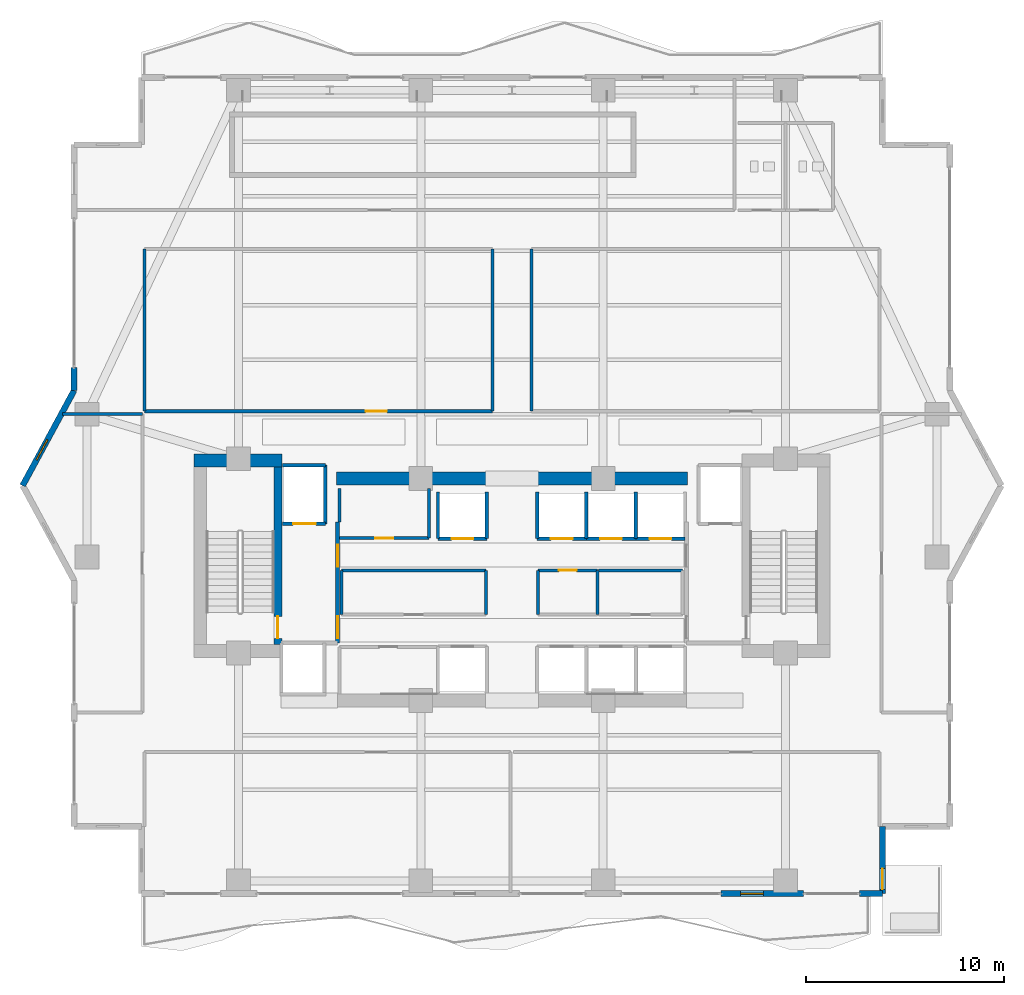
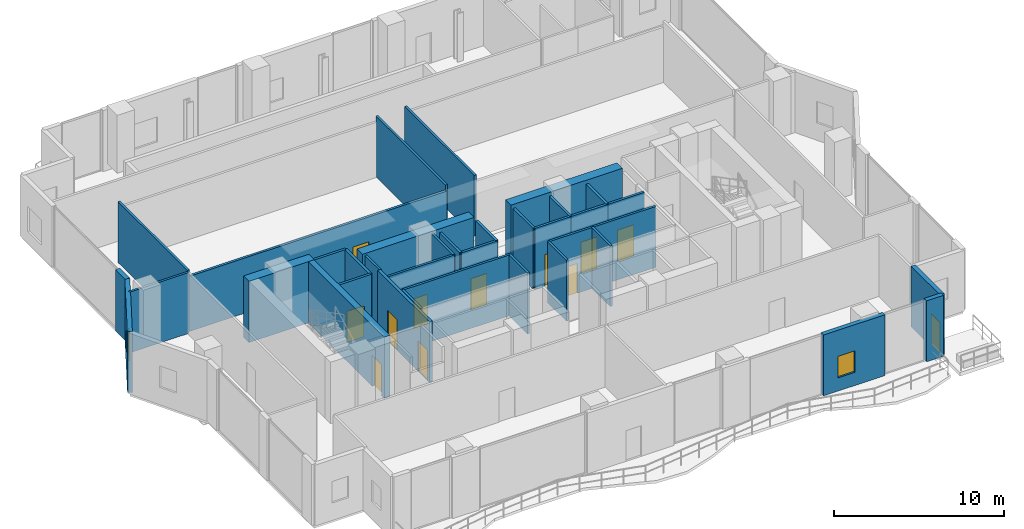
# One storey, part 27 of 33: 37 walls, 12 doors, 2 windows, 14 openings.
"""IFC4 building model written with IfcOpenShell, lengths in metres."""

from ifc_helpers import new_model, si_unit, direction, frame, frame_2d, origin, place, context, subcontext, project, spatial, rectangle, extrude, material, layer, layer_set, type_object, element, fill, save


model = new_model("IFC4")

# Units and contexts
model_context = context("Model", 3, precision=1e-05, world=origin(), true_north=direction((0.0, 1.0)))
body_context = subcontext(model_context, "Body", "Model", "MODEL_VIEW")
ifc_project = project(units=[si_unit("LENGTHUNIT", "METRE"), si_unit("AREAUNIT", "SQUARE_METRE"), si_unit("VOLUMEUNIT", "CUBIC_METRE"), si_unit("PLANEANGLEUNIT", "RADIAN"), si_unit("MASSUNIT", "GRAM", prefix="KILO")], contexts=[model_context])

# Site, building, storey
site_placement = place(None, origin())
site = spatial("IfcSite", under=ifc_project, at=site_placement, CompositionType="ELEMENT")
building_placement = place(site_placement, origin())
building = spatial("IfcBuilding", under=site, at=building_placement, Name="Zuhayl Quay Hotel", CompositionType="ELEMENT")
storey_placement = place(building_placement, frame((0.0, 0.0, 168.199951171875)))
storey = spatial("IfcBuildingStorey", under=building, at=storey_placement, Name="L42", CompositionType="ELEMENT", Elevation=168.199951171875)

# Walls
ifc_material_1 = material(Name="Concrete C50/60", Category="concrete")
ifc_layer_1 = layer(ifc_material_1, 0.64990234375, Name="Concrete C50/60", Category="concrete")
ifc_layer_set_1 = layer_set([ifc_layer_1], Name="Concrete C50/60")
wall_type_1 = type_object("IfcWallType", Name="WL_CORE_650", PredefinedType="SHEAR", material=ifc_layer_set_1)
wall_1_placement = place(storey_placement, frame((-16.06005859375, 14.2548828125, 0.0), z_axis=(0.0, 0.0, 1.0), x_axis=(1.0, 0.0, 0.0)))
element("IfcWall", 1, at=wall_1_placement, inside=storey, type_object=wall_type_1, Name="L42 Core Shear Wall CW_NW", PredefinedType="SHEAR", context=body_context, shape_type="SweptSolid", body=[
    extrude(rectangle(XDim=4.4599609375, YDim=0.64990234375, at=frame_2d((2.22998046875, 0.0))), origin(), (0.0, 0.0, 1.0), 4.41015625),
])
for number, where, z_axis, x_axis, name in (
    (2, (-8.85009765625, 13.35009765625, 0.0), (0.0, 0.0, 1.0), (1.0, 0.0, 0.0), "L42 Core Shear Wall CW_NC_W"),
    (3, (1.25, 13.35009765625, 0.0), (0.0, 0.0, 1.0), (1.0, 0.0, 0.0), "L42 Core Shear Wall CW_NC_E"),
):
    element("IfcWall", number, at=place(storey_placement, frame(where, z_axis=z_axis, x_axis=x_axis)), inside=storey, type_object=wall_type_1, Name=name, PredefinedType="SHEAR", context=body_context, shape_type="SweptSolid", body=[
        extrude(rectangle(XDim=7.60009765625, YDim=0.64990234375, at=frame_2d((3.800048828125, 0.0))), origin(), (0.0, 0.0, 1.0), 4.380126953125),
    ])

# Wall, opening, window
ifc_material_2 = material(Name="Precast concrete C45/55", Category="concrete")
ifc_layer_2 = layer(ifc_material_2, 0.300048828125, Name="Precast concrete C45/55", Category="concrete")
ifc_layer_set_2 = layer_set([ifc_layer_2], Name="Precast concrete C45/55")
wall_type_2 = type_object("IfcWallType", Name="WL_EXT_300", PredefinedType="STANDARD", material=ifc_layer_set_2)
wall_2_placement = place(storey_placement, frame((-24.699951171875, 13.0, 0.0), z_axis=(0.0, 0.0, 1.0), x_axis=(0.476258655584, 0.879305233114, 0.0)))
wall_2 = element("IfcWall", 4, at=wall_2_placement, inside=storey, type_object=wall_type_2, Name="L42 Exterior Precast Wall ENV_L42_EW04", PredefinedType="STANDARD", context=body_context, shape_type="SweptSolid", body=[
    extrude(rectangle(XDim=5.458984375, YDim=0.300048828125, at=frame_2d((2.7294921875, 0.0))), origin(), (0.0, 0.0, 1.0), 4.380126953125),
])
opening_1_placement = place(wall_2_placement, frame((1.476318359375, 0.0, 1.25)))
opening_1 = element("IfcOpeningElement", 5, at=opening_1_placement, cuts=wall_2, Name="Opening W01N", PredefinedType="OPENING", context=body_context, shape_type="SweptSolid", body=[
    extrude(rectangle(XDim=1.14990234375, YDim=1.550048828125, at=frame_2d((0.574951171875, 0.77490234375))), frame((0.0, 0.159912109375, 0.0), z_axis=(0.0, -1.0, 0.0), x_axis=(1.0, 0.0, 0.0)), (0.0, 0.0, 1.0), 0.320068359375),
])
ifc_material_3 = material(Name="Dark Ceramic-Fritted Solar Glass", Category="glass")
window_type = type_object("IfcWindowType", Name="WN_NOTCH_1350", PartitioningType="SINGLE_PANEL", PredefinedType="WINDOW", material=ifc_material_3)
window_1_placement = place(opening_1_placement, origin())
window_1 = element("IfcWindow", 6, at=window_1_placement, inside=storey, type_object=window_type, Name="L42 Corner Notch Window 4", OverallHeight=1.550048828125, OverallWidth=1.14990234375, PartitioningType="SINGLE_PANEL", PredefinedType="WINDOW", context=body_context, shape_type="SweptSolid", body=[
    extrude(rectangle(XDim=1.14990234375, YDim=1.550048828125, at=frame_2d((0.574951171875, 0.77490234375))), frame((0.0, 0.030029296875, 0.0), z_axis=(0.0, -1.0, 0.0), x_axis=(1.0, 0.0, 0.0)), (0.0, 0.0, 1.0), 0.06005859375),
])
fill(opening_1, window_1)

# Wall
wall_3_placement = place(storey_placement, frame((-22.10009765625, 17.800048828125, 0.0), z_axis=(0.0, 0.0, 1.0), x_axis=(0.0, 1.0, 0.0)))
element("IfcWall", 7, at=wall_3_placement, inside=storey, type_object=wall_type_2, Name="L42 Exterior Precast Wall ENV_L42_E05_EW1", PredefinedType="STANDARD", context=body_context, shape_type="SweptSolid", body=[
    extrude(rectangle(XDim=1.14990234375, YDim=0.300048828125, at=frame_2d((0.574951171875, 0.0))), origin(), (0.0, 0.0, 1.0), 4.380126953125),
])

# Wall, opening, door
wall_4_placement = place(storey_placement, frame((18.699951171875, -4.199951171875, 0.0), z_axis=(0.0, 0.0, 1.0), x_axis=(0.0, -1.0, 0.0)))
wall_4 = element("IfcWall", 8, at=wall_4_placement, inside=storey, type_object=wall_type_2, Name="L42 Exterior Precast Wall ENV_L42_SP_SE", PredefinedType="STANDARD", context=body_context, shape_type="SweptSolid", body=[
    extrude(rectangle(XDim=3.400146484375, YDim=0.300048828125, at=frame_2d((1.7001953125, 0.0))), origin(), (0.0, 0.0, 1.0), 4.380126953125),
])
opening_2_placement = place(wall_4_placement, frame((2.1298828125, 0.0, 0.0)))
opening_2 = element("IfcOpeningElement", 9, at=opening_2_placement, cuts=wall_4, Name="Opening DG1", PredefinedType="OPENING", context=body_context, shape_type="SweptSolid", body=[
    extrude(rectangle(XDim=1.050048828125, YDim=2.199951171875, at=frame_2d((0.52490234375, 1.10009765625))), frame((0.0, 0.159912109375, 0.0), z_axis=(0.0, -1.0, 0.0), x_axis=(1.0, 0.0, 0.0)), (0.0, 0.0, 1.0), 0.320068359375),
])
ifc_material_4 = material(Name="Anodised Aluminium and Dark Solar Glass", Category="aluminium")
door_type_1 = type_object("IfcDoorType", Name="DR_EXT_TERR_1050", OperationType="NOTDEFINED", PredefinedType="DOOR", material=ifc_material_4)
door_1_placement = place(opening_2_placement, origin())
door_1 = element("IfcDoor", 10, at=door_1_placement, inside=storey, type_object=door_type_1, Name="L42 Spiral Sky-Terrace SE Access Door", OperationType="SINGLE_SWING_LEFT", OverallHeight=2.199951171875, OverallWidth=1.050048828125, PredefinedType="DOOR", context=body_context, shape_type="SweptSolid", body=[
    extrude(rectangle(XDim=1.050048828125, YDim=2.199951171875, at=frame_2d((0.52490234375, 1.10009765625))), frame((0.0, 0.02490234375, 0.0), z_axis=(0.0, -1.0, 0.0), x_axis=(1.0, 0.0, 0.0)), (0.0, 0.0, 1.0), 0.050048828125),
])
fill(opening_2, door_1)

# Wall
wall_5_placement = place(storey_placement, frame((18.699951171875, -7.60009765625, 0.0), z_axis=(0.0, 0.0, 1.0), x_axis=(-1.0, 0.0, 0.0)))
element("IfcWall", 11, at=wall_5_placement, inside=storey, type_object=wall_type_2, Name="L42 Exterior Precast Wall ENV_L42_S_EW1", PredefinedType="STANDARD", context=body_context, shape_type="SweptSolid", body=[
    extrude(rectangle(XDim=1.14990234375, YDim=0.300048828125, at=frame_2d((0.574951171875, 0.0))), origin(), (0.0, 0.0, 1.0), 4.380126953125),
])

# Wall, opening, window
wall_6_placement = place(storey_placement, frame((14.719970703125, -7.60009765625, 0.0), z_axis=(0.0, 0.0, 1.0), x_axis=(-1.0, 0.0, 0.0)))
wall_6 = element("IfcWall", 12, at=wall_6_placement, inside=storey, type_object=wall_type_2, Name="L42 Exterior Precast Wall ENV_L42_S_EW2", PredefinedType="STANDARD", context=body_context, shape_type="SweptSolid", body=[
    extrude(rectangle(XDim=4.169921875, YDim=0.300048828125, at=frame_2d((2.0849609375, 0.0))), origin(), (0.0, 0.0, 1.0), 4.380126953125),
])
opening_3_placement = place(wall_6_placement, frame((2.034912109375, 0.0, 0.949951171875)))
opening_3 = element("IfcOpeningElement", 13, at=opening_3_placement, cuts=wall_6, Name="Opening W01N", PredefinedType="OPENING", context=body_context, shape_type="SweptSolid", body=[
    extrude(rectangle(XDim=1.14990234375, YDim=1.550048828125, at=frame_2d((0.574951171875, 0.77490234375))), frame((0.0, 0.159912109375, 0.0), z_axis=(0.0, -1.0, 0.0), x_axis=(1.0, 0.0, 0.0)), (0.0, 0.0, 1.0), 0.320068359375),
])
window_2_placement = place(opening_3_placement, origin())
window_2 = element("IfcWindow", 14, at=window_2_placement, inside=storey, type_object=window_type, Name="L42 Operable Facade Window 2-1", OverallHeight=1.550048828125, OverallWidth=1.14990234375, PartitioningType="SINGLE_PANEL", PredefinedType="WINDOW", context=body_context, shape_type="SweptSolid", body=[
    extrude(rectangle(XDim=1.14990234375, YDim=1.550048828125, at=frame_2d((0.574951171875, 0.77490234375))), frame((0.0, 0.030029296875, 0.0), z_axis=(0.0, -1.0, 0.0), x_axis=(1.0, 0.0, 0.0)), (0.0, 0.0, 1.0), 0.06005859375),
])
fill(opening_3, window_2)

# Wall, opening, door
ifc_material_5 = material(Name="Acoustic Gypsum Partition STC-58")
ifc_layer_3 = layer(ifc_material_5, 0.14990234375, Name="Acoustic Gypsum Partition STC-58")
ifc_layer_set_3 = layer_set([ifc_layer_3], Name="Acoustic Gypsum Partition STC-58")
wall_type_3 = type_object("IfcWallType", Name="WL_PART_150", PredefinedType="PARTITIONING", material=ifc_layer_set_3)
wall_7_placement = place(storey_placement, frame((-8.7099609375, 10.340087890625, 0.0), z_axis=(0.0, 0.0, 1.0), x_axis=(1.0, 0.0, 0.0)))
wall_7 = element("IfcWall", 15, at=wall_7_placement, inside=storey, type_object=wall_type_3, Name="L42 Partition IW_L42_FLP_N_S", PredefinedType="PARTITIONING", context=body_context, shape_type="SweptSolid", body=[
    extrude(rectangle(XDim=4.52001953125, YDim=0.14990234375, at=frame_2d((2.260009765625, 0.0))), origin(), (0.0, 0.0, 1.0), 4.380126953125),
])
opening_4_placement = place(wall_7_placement, frame((1.81005859375, 0.0, 0.0)))
opening_4 = element("IfcOpeningElement", 16, at=opening_4_placement, cuts=wall_7, Name="Opening D06", PredefinedType="OPENING", context=body_context, shape_type="SweptSolid", body=[
    extrude(rectangle(XDim=0.89990234375, YDim=2.14990234375, at=frame_2d((0.449951171875, 1.074951171875))), frame((0.0, 0.0849609375, 0.0), z_axis=(0.0, -1.0, 0.0), x_axis=(1.0, 0.0, 0.0)), (0.0, 0.0, 1.0), 0.169921875),
])
ifc_material_6 = material(Name="Steel ASTM A992 Grade 50", Category="steel")
door_type_2 = type_object("IfcDoorType", Name="DR_INT_900", OperationType="NOTDEFINED", PredefinedType="DOOR", material=ifc_material_6)
door_2_placement = place(opening_4_placement, origin())
door_2 = element("IfcDoor", 17, at=door_2_placement, inside=storey, type_object=door_type_2, Name="L42 Linen Store West Door", OperationType="SINGLE_SWING_RIGHT", OverallHeight=2.14990234375, OverallWidth=0.89990234375, PredefinedType="DOOR", context=body_context, shape_type="SweptSolid", body=[
    extrude(rectangle(XDim=0.89990234375, YDim=2.14990234375, at=frame_2d((0.449951171875, 1.074951171875))), frame((0.0, 0.02490234375, 0.0), z_axis=(0.0, -1.0, 0.0), x_axis=(1.0, 0.0, 0.0)), (0.0, 0.0, 1.0), 0.050048828125),
])
fill(opening_4, door_2)

wall_8_placement = place(storey_placement, frame((1.320068359375, 8.719970703125, 0.0), z_axis=(0.0, 0.0, 1.0), x_axis=(1.0, 0.0, 0.0)))
wall_8 = element("IfcWall", 18, at=wall_8_placement, inside=storey, type_object=wall_type_3, Name="L42 Partition IW_L42_CORE_IT_N", PredefinedType="PARTITIONING", context=body_context, shape_type="SweptSolid", body=[
    extrude(rectangle(XDim=2.989990234375, YDim=0.14990234375, at=frame_2d((1.4951171875, 0.0))), origin(), (0.0, 0.0, 1.0), 4.380126953125),
])
opening_5_placement = place(wall_8_placement, frame((1.044921875, 0.0, 0.0)))
opening_5 = element("IfcOpeningElement", 19, at=opening_5_placement, cuts=wall_8, Name="Opening D06", PredefinedType="OPENING", context=body_context, shape_type="SweptSolid", body=[
    extrude(rectangle(XDim=0.89990234375, YDim=2.14990234375, at=frame_2d((0.449951171875, 1.074951171875))), frame((0.0, 0.0849609375, 0.0), z_axis=(0.0, -1.0, 0.0), x_axis=(1.0, 0.0, 0.0)), (0.0, 0.0, 1.0), 0.169921875),
])
door_3_placement = place(opening_5_placement, origin())
door_3 = element("IfcDoor", 20, at=door_3_placement, inside=storey, type_object=door_type_2, Name="L42 Telecom Closet Door", OperationType="SINGLE_SWING_RIGHT", OverallHeight=2.14990234375, OverallWidth=0.89990234375, PredefinedType="DOOR", context=body_context, shape_type="SweptSolid", body=[
    extrude(rectangle(XDim=0.89990234375, YDim=2.14990234375, at=frame_2d((0.449951171875, 1.074951171875))), frame((0.0, 0.02490234375, 0.0), z_axis=(0.0, -1.0, 0.0), x_axis=(1.0, 0.0, 0.0)), (0.0, 0.0, 1.0), 0.050048828125),
])
fill(opening_5, door_3)

# Walls
wall_9_placement = place(storey_placement, frame((-8.7099609375, 11.14990234375, 0.0), z_axis=(0.0, 0.0, 1.0), x_axis=(0.0, 1.0, 0.0)))
element("IfcWall", 21, at=wall_9_placement, inside=storey, type_object=wall_type_3, Name="L42 Partition IW_L42_FLP_N_W", PredefinedType="PARTITIONING", context=body_context, shape_type="SweptSolid", body=[
    extrude(rectangle(XDim=1.710205078125, YDim=0.14990234375, at=frame_2d((0.85498046875, 0.0))), origin(), (0.0, 0.0, 1.0), 4.380126953125),
])
wall_10_placement = place(storey_placement, frame((-4.18994140625, 10.340087890625, 0.0), z_axis=(0.0, 0.0, 1.0), x_axis=(0.0, 1.0, 0.0)))
element("IfcWall", 22, at=wall_10_placement, inside=storey, type_object=wall_type_3, Name="L42 Partition IW_L42_FLP_N_E", PredefinedType="PARTITIONING", context=body_context, shape_type="SweptSolid", body=[
    extrude(rectangle(XDim=2.52001953125, YDim=0.14990234375, at=frame_2d((1.260009765625, 0.0))), origin(), (0.0, 0.0, 1.0), 4.380126953125),
])
wall_11_placement = place(storey_placement, frame((-8.610107421875, 8.719970703125, 0.0), z_axis=(0.0, 0.0, 1.0), x_axis=(1.0, 0.0, 0.0)))
element("IfcWall", 23, at=wall_11_placement, inside=storey, type_object=wall_type_3, Name="L42 Partition IW_L42_CORE_EL_N", PredefinedType="PARTITIONING", context=body_context, shape_type="SweptSolid", body=[
    extrude(rectangle(XDim=7.2900390625, YDim=0.14990234375, at=frame_2d((3.64501953125, 0.0))), origin(), (0.0, 0.0, 1.0), 4.380126953125),
])
for number, where, z_axis, x_axis, name in (
    (24, (-8.610107421875, 6.47998046875, 0.0), (0.0, 0.0, 1.0), (0.0, 1.0, 0.0), "L42 Partition IW_L42_CORE_EL_W"),
    (25, (-1.320068359375, 6.47998046875, 0.0), (0.0, 0.0, 1.0), (0.0, 1.0, 0.0), "L42 Partition IW_L42_CORE_EL_E"),
    (26, (1.320068359375, 6.47998046875, 0.0), (0.0, 0.0, 1.0), (0.0, 1.0, 0.0), "L42 Partition IW_L42_CORE_IT_W"),
    (27, (4.31005859375, 6.47998046875, 0.0), (0.0, 0.0, 1.0), (0.0, 1.0, 0.0), "L42 Partition IW_L42_CORE_IT_E"),
):
    element("IfcWall", number, at=place(storey_placement, frame(where, z_axis=z_axis, x_axis=x_axis)), inside=storey, type_object=wall_type_3, Name=name, PredefinedType="PARTITIONING", context=body_context, shape_type="SweptSolid", body=[
        extrude(rectangle(XDim=2.239990234375, YDim=0.14990234375, at=frame_2d((1.1201171875, 0.0))), origin(), (0.0, 0.0, 1.0), 4.380126953125),
    ])
wall_12_placement = place(storey_placement, frame((4.3701171875, 8.719970703125, 0.0), z_axis=(0.0, 0.0, 1.0), x_axis=(1.0, 0.0, 0.0)))
element("IfcWall", 28, at=wall_12_placement, inside=storey, type_object=wall_type_3, Name="L42 Partition IW_L42_CORE_LN_N", PredefinedType="PARTITIONING", context=body_context, shape_type="SweptSolid", body=[
    extrude(rectangle(XDim=4.239990234375, YDim=0.14990234375, at=frame_2d((2.1201171875, 0.0))), origin(), (0.0, 0.0, 1.0), 4.380126953125),
])
for number, where, z_axis, x_axis, name in (
    (29, (-18.550048828125, 16.75, 0.0), (0.0, 0.0, 1.0), (0.0, 1.0, 0.0), "L42 Partition IW_L42_SPA_LOBBY_W"),
    (30, (-0.97998046875, 16.75, 0.0), (0.0, 0.0, 1.0), (0.0, 1.0, 0.0), "L42 Partition IW_L42_SPA_LOBBY_E"),
    (31, (0.97998046875, 16.75, 0.0), (0.0, 0.0, 1.0), (0.0, 1.0, 0.0), "L42 Partition IW_L42_HYDRO_SPA_W"),
):
    element("IfcWall", number, at=place(storey_placement, frame(where, z_axis=z_axis, x_axis=x_axis)), inside=storey, type_object=wall_type_3, Name=name, PredefinedType="PARTITIONING", context=body_context, shape_type="SweptSolid", body=[
        extrude(rectangle(XDim=8.199951171875, YDim=0.14990234375, at=frame_2d((4.10009765625, 0.0))), origin(), (0.0, 0.0, 1.0), 4.380126953125),
    ])
wall_13_placement = place(storey_placement, frame((-22.68994140625, 16.60009765625, 0.0), z_axis=(0.0, 0.0, 1.0), x_axis=(1.0, 0.0, 0.0)))
element("IfcWall", 32, at=wall_13_placement, inside=storey, type_object=wall_type_3, Name="L42 Partition IW_L42_PROW_SPA_W_N", PredefinedType="PARTITIONING", context=body_context, shape_type="SweptSolid", body=[
    extrude(rectangle(XDim=4.0400390625, YDim=0.14990234375, at=frame_2d((2.02001953125, 0.0))), origin(), (0.0, 0.0, 1.0), 4.380126953125),
])

# Wall, opening, door
ifc_layer_4 = layer(ifc_material_5, 0.159912109375, Name="Acoustic Gypsum Partition STC-58")
ifc_layer_set_4 = layer_set([ifc_layer_4], Name="Acoustic Gypsum Partition STC-58")
wall_type_4 = type_object("IfcWallType", Name="WL_PART_CORR_160", PredefinedType="PARTITIONING", material=ifc_layer_set_4)
wall_14_placement = place(storey_placement, frame((-18.550048828125, 16.75, 0.0), z_axis=(0.0, 0.0, 1.0), x_axis=(1.0, 0.0, 0.0)))
wall_14 = element("IfcWall", 33, at=wall_14_placement, inside=storey, type_object=wall_type_4, Name="L42 Partition IW_L42_SPA_LOBBY_S", PredefinedType="PARTITIONING", context=body_context, shape_type="SweptSolid", body=[
    extrude(rectangle(XDim=17.570068359375, YDim=0.159912109375, at=frame_2d((8.78515625, 0.0))), origin(), (0.0, 0.0, 1.0), 3.97412109375),
])
opening_6_placement = place(wall_14_placement, frame((11.159912109375, 0.0, 0.0)))
opening_6 = element("IfcOpeningElement", 34, at=opening_6_placement, cuts=wall_14, Name="Opening D05A", PredefinedType="OPENING", context=body_context, shape_type="SweptSolid", body=[
    extrude(rectangle(XDim=1.080078125, YDim=2.179931640625, at=frame_2d((0.5400390625, 1.08984375))), frame((0.0, 0.08984375, 0.0), z_axis=(0.0, -1.0, 0.0), x_axis=(1.0, 0.0, 0.0)), (0.0, 0.0, 1.0), 0.179931640625),
])
ifc_material_7 = material(Name="Solid Walnut Acoustic Fire Door")
door_type_3 = type_object("IfcDoorType", Name="DR_INT_1100", OperationType="NOTDEFINED", PredefinedType="DOOR", material=ifc_material_7)
door_4_placement = place(opening_6_placement, origin())
door_4 = element("IfcDoor", 35, at=door_4_placement, inside=storey, type_object=door_type_3, Name="L42 Spa Sky Lobby Reception Door", OperationType="SINGLE_SWING_RIGHT", OverallHeight=2.179931640625, OverallWidth=1.080078125, PredefinedType="DOOR", context=body_context, shape_type="SweptSolid", body=[
    extrude(rectangle(XDim=1.080078125, YDim=2.179931640625, at=frame_2d((0.5400390625, 1.08984375))), frame((0.0, 0.02490234375, 0.0), z_axis=(0.0, -1.0, 0.0), x_axis=(1.0, 0.0, 0.0)), (0.0, 0.0, 1.0), 0.050048828125),
])
fill(opening_6, door_4)

ifc_material_8 = material(Name="Gypsum Fireboard Assembly EI-90")
ifc_layer_5 = layer(ifc_material_8, 0.1650390625, Name="Gypsum Fireboard Assembly EI-90")
ifc_layer_set_5 = layer_set([ifc_layer_5], Name="Gypsum Fireboard Assembly EI-90")
wall_type_5 = type_object("IfcWallType", Name="WL_PART_SHAFT_160", PredefinedType="PARTITIONING", material=ifc_layer_set_5)
wall_15_placement = place(storey_placement, frame((-11.580078125, 11.070068359375, 0.0), z_axis=(0.0, 0.0, 1.0), x_axis=(1.0, 0.0, 0.0)))
wall_15 = element("IfcWall", 36, at=wall_15_placement, inside=storey, type_object=wall_type_5, Name="L42 Partition IW_L42_SH_FL1_F", PredefinedType="PARTITIONING", context=body_context, shape_type="SweptSolid", body=[
    extrude(rectangle(XDim=2.16015625, YDim=0.1650390625, at=frame_2d((1.080078125, 0.0))), origin(), (0.0, 0.0, 1.0), 4.380126953125),
])
opening_7_placement = place(wall_15_placement, frame((0.530029296875, 0.0, 0.0)))
opening_7 = element("IfcOpeningElement", 37, at=opening_7_placement, cuts=wall_15, Name="Opening LD2", PredefinedType="OPENING", context=body_context, shape_type="SweptSolid", body=[
    extrude(rectangle(XDim=1.14990234375, YDim=2.25, at=frame_2d((0.574951171875, 1.125))), frame((0.0, 0.092529296875, 0.0), z_axis=(0.0, -1.0, 0.0), x_axis=(1.0, 0.0, 0.0)), (0.0, 0.0, 1.0), 0.18505859375),
])
ifc_material_9 = material(Name="Brushed Stainless Steel", Category="steel")
door_type_4 = type_object("IfcDoorType", Name="DR_LIFT_FF_1100", OperationType="SLIDING_TO_LEFT", PredefinedType="DOOR", material=ifc_material_9)
door_5_placement = place(opening_7_placement, origin())
door_5 = element("IfcDoor", 38, at=door_5_placement, inside=storey, type_object=door_type_4, Name="L42 Lift FL1 Sliding Landing Door", OperationType="SLIDING_TO_LEFT", OverallHeight=2.25, OverallWidth=1.14990234375, PredefinedType="DOOR", context=body_context, shape_type="SweptSolid", body=[
    extrude(rectangle(XDim=1.14990234375, YDim=2.25, at=frame_2d((0.574951171875, 1.125))), frame((0.0, 0.02490234375, 0.0), z_axis=(0.0, -1.0, 0.0), x_axis=(1.0, 0.0, 0.0)), (0.0, 0.0, 1.0), 0.050048828125),
])
fill(opening_7, door_5)

wall_16_placement = place(storey_placement, frame((-3.72998046875, 10.320068359375, 0.0), z_axis=(0.0, 0.0, 1.0), x_axis=(1.0, 0.0, 0.0)))
wall_16 = element("IfcWall", 39, at=wall_16_placement, inside=storey, type_object=wall_type_5, Name="L42 Partition IW_L42_SH_MP3_F", PredefinedType="PARTITIONING", context=body_context, shape_type="SweptSolid", body=[
    extrude(rectangle(XDim=2.4599609375, YDim=0.1650390625, at=frame_2d((1.22998046875, 0.0))), origin(), (0.0, 0.0, 1.0), 4.380126953125),
])
opening_8_placement = place(wall_16_placement, frame((0.679931640625, 0.0, 0.0)))
opening_8 = element("IfcOpeningElement", 40, at=opening_8_placement, cuts=wall_16, Name="Opening LD1", PredefinedType="OPENING", context=body_context, shape_type="SweptSolid", body=[
    extrude(rectangle(XDim=1.10009765625, YDim=2.25, at=frame_2d((0.550048828125, 1.125))), frame((0.0, 0.092529296875, 0.0), z_axis=(0.0, -1.0, 0.0), x_axis=(1.0, 0.0, 0.0)), (0.0, 0.0, 1.0), 0.18505859375),
])
door_type_5 = type_object("IfcDoorType", Name="DR_LIFT_PASS_1100", OperationType="SLIDING_TO_LEFT", PredefinedType="DOOR", material=ifc_material_9)
door_6_placement = place(opening_8_placement, origin())
door_6 = element("IfcDoor", 41, at=door_6_placement, inside=storey, type_object=door_type_5, Name="L42 Lift MP3 Sliding Landing Door", OperationType="SLIDING_TO_LEFT", OverallHeight=2.25, OverallWidth=1.10009765625, PredefinedType="DOOR", context=body_context, shape_type="SweptSolid", body=[
    extrude(rectangle(XDim=1.10009765625, YDim=2.25, at=frame_2d((0.550048828125, 1.125))), frame((0.0, 0.02490234375, 0.0), z_axis=(0.0, -1.0, 0.0), x_axis=(1.0, 0.0, 0.0)), (0.0, 0.0, 1.0), 0.050048828125),
])
fill(opening_8, door_6)

wall_17_placement = place(storey_placement, frame((1.27001953125, 10.320068359375, 0.0), z_axis=(0.0, 0.0, 1.0), x_axis=(1.0, 0.0, 0.0)))
wall_17 = element("IfcWall", 42, at=wall_17_placement, inside=storey, type_object=wall_type_5, Name="L42 Partition IW_L42_SH_MP4_F", PredefinedType="PARTITIONING", context=body_context, shape_type="SweptSolid", body=[
    extrude(rectangle(XDim=2.47998046875, YDim=0.1650390625, at=frame_2d((1.239990234375, 0.0))), origin(), (0.0, 0.0, 1.0), 4.380126953125),
])
opening_9_placement = place(wall_17_placement, frame((0.68994140625, 0.0, 0.0)))
opening_9 = element("IfcOpeningElement", 43, at=opening_9_placement, cuts=wall_17, Name="Opening LD1", PredefinedType="OPENING", context=body_context, shape_type="SweptSolid", body=[
    extrude(rectangle(XDim=1.10009765625, YDim=2.25, at=frame_2d((0.550048828125, 1.125))), frame((0.0, 0.092529296875, 0.0), z_axis=(0.0, -1.0, 0.0), x_axis=(1.0, 0.0, 0.0)), (0.0, 0.0, 1.0), 0.18505859375),
])
door_7_placement = place(opening_9_placement, origin())
door_7 = element("IfcDoor", 44, at=door_7_placement, inside=storey, type_object=door_type_5, Name="L42 Lift MP4 Sliding Landing Door", OperationType="SLIDING_TO_LEFT", OverallHeight=2.25, OverallWidth=1.10009765625, PredefinedType="DOOR", context=body_context, shape_type="SweptSolid", body=[
    extrude(rectangle(XDim=1.10009765625, YDim=2.25, at=frame_2d((0.550048828125, 1.125))), frame((0.0, 0.02490234375, 0.0), z_axis=(0.0, -1.0, 0.0), x_axis=(1.0, 0.0, 0.0)), (0.0, 0.0, 1.0), 0.050048828125),
])
fill(opening_9, door_7)

wall_18_placement = place(storey_placement, frame((3.75, 10.320068359375, 0.0), z_axis=(0.0, 0.0, 1.0), x_axis=(1.0, 0.0, 0.0)))
wall_18 = element("IfcWall", 45, at=wall_18_placement, inside=storey, type_object=wall_type_5, Name="L42 Partition IW_L42_SH_HP3_F", PredefinedType="PARTITIONING", context=body_context, shape_type="SweptSolid", body=[
    extrude(rectangle(XDim=2.5, YDim=0.1650390625, at=frame_2d((1.25, 0.0))), origin(), (0.0, 0.0, 1.0), 4.380126953125),
])
opening_10_placement = place(wall_18_placement, frame((0.699951171875, 0.0, 0.0)))
opening_10 = element("IfcOpeningElement", 46, at=opening_10_placement, cuts=wall_18, Name="Opening LD1", PredefinedType="OPENING", context=body_context, shape_type="SweptSolid", body=[
    extrude(rectangle(XDim=1.10009765625, YDim=2.25, at=frame_2d((0.550048828125, 1.125))), frame((0.0, 0.092529296875, 0.0), z_axis=(0.0, -1.0, 0.0), x_axis=(1.0, 0.0, 0.0)), (0.0, 0.0, 1.0), 0.18505859375),
])
door_8_placement = place(opening_10_placement, origin())
door_8 = element("IfcDoor", 47, at=door_8_placement, inside=storey, type_object=door_type_5, Name="L42 Lift HP3 Sliding Landing Door", OperationType="SLIDING_TO_LEFT", OverallHeight=2.25, OverallWidth=1.10009765625, PredefinedType="DOOR", context=body_context, shape_type="SweptSolid", body=[
    extrude(rectangle(XDim=1.10009765625, YDim=2.25, at=frame_2d((0.550048828125, 1.125))), frame((0.0, 0.02490234375, 0.0), z_axis=(0.0, -1.0, 0.0), x_axis=(1.0, 0.0, 0.0)), (0.0, 0.0, 1.0), 0.050048828125),
])
fill(opening_10, door_8)

wall_19_placement = place(storey_placement, frame((6.25, 10.320068359375, 0.0), z_axis=(0.0, 0.0, 1.0), x_axis=(1.0, 0.0, 0.0)))
wall_19 = element("IfcWall", 48, at=wall_19_placement, inside=storey, type_object=wall_type_5, Name="L42 Partition IW_L42_SH_HP4_F", PredefinedType="PARTITIONING", context=body_context, shape_type="SweptSolid", body=[
    extrude(rectangle(XDim=2.47998046875, YDim=0.1650390625, at=frame_2d((1.239990234375, 0.0))), origin(), (0.0, 0.0, 1.0), 4.380126953125),
])
opening_11_placement = place(wall_19_placement, frame((0.68994140625, 0.0, 0.0)))
opening_11 = element("IfcOpeningElement", 49, at=opening_11_placement, cuts=wall_19, Name="Opening LD1", PredefinedType="OPENING", context=body_context, shape_type="SweptSolid", body=[
    extrude(rectangle(XDim=1.10009765625, YDim=2.25, at=frame_2d((0.550048828125, 1.125))), frame((0.0, 0.092529296875, 0.0), z_axis=(0.0, -1.0, 0.0), x_axis=(1.0, 0.0, 0.0)), (0.0, 0.0, 1.0), 0.18505859375),
])
door_9_placement = place(opening_11_placement, origin())
door_9 = element("IfcDoor", 50, at=door_9_placement, inside=storey, type_object=door_type_5, Name="L42 Lift HP4 Sliding Landing Door", OperationType="SLIDING_TO_LEFT", OverallHeight=2.25, OverallWidth=1.10009765625, PredefinedType="DOOR", context=body_context, shape_type="SweptSolid", body=[
    extrude(rectangle(XDim=1.10009765625, YDim=2.25, at=frame_2d((0.550048828125, 1.125))), frame((0.0, 0.02490234375, 0.0), z_axis=(0.0, -1.0, 0.0), x_axis=(1.0, 0.0, 0.0)), (0.0, 0.0, 1.0), 0.050048828125),
])
fill(opening_11, door_9)

# Walls
wall_20_placement = place(storey_placement, frame((-9.419921875, 11.070068359375, 0.0), z_axis=(0.0, 0.0, 1.0), x_axis=(0.0, 1.0, 0.0)))
element("IfcWall", 51, at=wall_20_placement, inside=storey, type_object=wall_type_5, Name="L42 Partition IW_L42_SH_FL1_E", PredefinedType="PARTITIONING", context=body_context, shape_type="SweptSolid", body=[
    extrude(rectangle(XDim=2.9599609375, YDim=0.1650390625, at=frame_2d((1.47998046875, 0.0))), origin(), (0.0, 0.0, 1.0), 4.380126953125),
])
wall_21_placement = place(storey_placement, frame((-11.580078125, 14.030029296875, 0.0), z_axis=(0.0, 0.0, 1.0), x_axis=(1.0, 0.0, 0.0)))
element("IfcWall", 52, at=wall_21_placement, inside=storey, type_object=wall_type_5, Name="L42 Partition IW_L42_SH_FL1_B", PredefinedType="PARTITIONING", context=body_context, shape_type="SweptSolid", body=[
    extrude(rectangle(XDim=2.16015625, YDim=0.1650390625, at=frame_2d((1.080078125, 0.0))), origin(), (0.0, 0.0, 1.0), 4.380126953125),
])
for number, where, z_axis, x_axis, name in (
    (53, (-3.72998046875, 10.320068359375, 0.0), (0.0, 0.0, 1.0), (0.0, 1.0, 0.0), "L42 Partition IW_L42_SH_MP3_W"),
    (54, (-1.27001953125, 10.320068359375, 0.0), (0.0, 0.0, 1.0), (0.0, 1.0, 0.0), "L42 Partition IW_L42_SH_MP3_E"),
    (55, (1.27001953125, 10.320068359375, 0.0), (0.0, 0.0, 1.0), (0.0, 1.0, 0.0), "L42 Partition IW_L42_SH_MP4_W"),
    (56, (3.75, 10.320068359375, 0.0), (0.0, 0.0, 1.0), (0.0, 1.0, 0.0), "L42 Partition IW_L42_SH_MP4_E"),
    (57, (6.25, 10.320068359375, 0.0), (0.0, 0.0, 1.0), (0.0, 1.0, 0.0), "L42 Partition IW_L42_SH_HP3_E"),
):
    element("IfcWall", number, at=place(storey_placement, frame(where, z_axis=z_axis, x_axis=x_axis)), inside=storey, type_object=wall_type_5, Name=name, PredefinedType="PARTITIONING", context=body_context, shape_type="SweptSolid", body=[
        extrude(rectangle(XDim=2.35986328125, YDim=0.1650390625, at=frame_2d((1.179931640625, 0.0))), origin(), (0.0, 0.0, 1.0), 4.380126953125),
    ])

# Wall, openings, doors
ifc_material_10 = material(Name="Gypsum Fireboard Assembly EI-120")
ifc_layer_6 = layer(ifc_material_10, 0.199951171875, Name="Gypsum Fireboard Assembly EI-120")
ifc_layer_set_6 = layer_set([ifc_layer_6], Name="Gypsum Fireboard Assembly EI-120")
wall_type_6 = type_object("IfcWallType", Name="WL_PART_SHAFT_200", PredefinedType="PARTITIONING", material=ifc_layer_set_6)
wall_22_placement = place(storey_placement, frame((-8.800048828125, 5.050048828125, 0.0), z_axis=(0.0, 0.0, 1.0), x_axis=(0.0, 1.0, 0.0)))
wall_22 = element("IfcWall", 58, at=wall_22_placement, inside=storey, type_object=wall_type_6, Name="L42 Partition IW_L42_FSAE_W_E", PredefinedType="PARTITIONING", context=body_context, shape_type="SweptSolid", body=[
    extrude(rectangle(XDim=6.099853515625, YDim=0.199951171875, at=frame_2d((3.0498046875, 0.0))), origin(), (0.0, 0.0, 1.0), 4.380126953125),
])
opening_12_placement = place(wall_22_placement, frame((0.25, 0.0, 0.0)))
opening_12 = element("IfcOpeningElement", 59, at=opening_12_placement, cuts=wall_22, Name="Opening D02", PredefinedType="OPENING", context=body_context, shape_type="SweptSolid", body=[
    extrude(rectangle(XDim=1.10009765625, YDim=2.199951171875, at=frame_2d((0.550048828125, 1.10009765625))), frame((0.0, 0.10986328125, 0.0), z_axis=(0.0, -1.0, 0.0), x_axis=(1.0, 0.0, 0.0)), (0.0, 0.0, 1.0), 0.219970703125),
])
opening_13_placement = place(wall_22_placement, frame((3.85009765625, 0.0, 0.0)))
opening_13 = element("IfcOpeningElement", 60, at=opening_13_placement, cuts=wall_22, Name="Opening D02", PredefinedType="OPENING", context=body_context, shape_type="SweptSolid", body=[
    extrude(rectangle(XDim=1.10009765625, YDim=2.199951171875, at=frame_2d((0.550048828125, 1.10009765625))), frame((0.0, 0.10986328125, 0.0), z_axis=(0.0, -1.0, 0.0), x_axis=(1.0, 0.0, 0.0)), (0.0, 0.0, 1.0), 0.219970703125),
])
door_type_6 = type_object("IfcDoorType", Name="DR_FIRE_90_1100", OperationType="NOTDEFINED", PredefinedType="DOOR", material=ifc_material_6)
door_10_placement = place(opening_12_placement, origin())
door_10 = element("IfcDoor", 61, at=door_10_placement, inside=storey, type_object=door_type_6, Name="L42 FSAE Lobby West South Entry Door", OperationType="SINGLE_SWING_LEFT", OverallHeight=2.199951171875, OverallWidth=1.10009765625, PredefinedType="DOOR", context=body_context, shape_type="SweptSolid", body=[
    extrude(rectangle(XDim=1.10009765625, YDim=2.199951171875, at=frame_2d((0.550048828125, 1.10009765625))), frame((0.0, 0.02490234375, 0.0), z_axis=(0.0, -1.0, 0.0), x_axis=(1.0, 0.0, 0.0)), (0.0, 0.0, 1.0), 0.050048828125),
])
fill(opening_12, door_10)
door_11_placement = place(opening_13_placement, origin())
door_11 = element("IfcDoor", 62, at=door_11_placement, inside=storey, type_object=door_type_6, Name="L42 FSAE Lobby West North Entry Door", OperationType="SINGLE_SWING_RIGHT", OverallHeight=2.199951171875, OverallWidth=1.10009765625, PredefinedType="DOOR", context=body_context, shape_type="SweptSolid", body=[
    extrude(rectangle(XDim=1.10009765625, YDim=2.199951171875, at=frame_2d((0.550048828125, 1.10009765625))), frame((0.0, 0.02490234375, 0.0), z_axis=(0.0, -1.0, 0.0), x_axis=(1.0, 0.0, 0.0)), (0.0, 0.0, 1.0), 0.050048828125),
])
fill(opening_13, door_11)

# Wall, opening, door
ifc_material_11 = material(Name="Concrete C60/75", Category="concrete")
ifc_layer_7 = layer(ifc_material_11, 0.39990234375, Name="Concrete C60/75", Category="concrete")
ifc_layer_set_7 = layer_set([ifc_layer_7], Name="Concrete C60/75")
wall_type_7 = type_object("IfcWallType", Name="WL_STAIR_400", PredefinedType="SHEAR", material=ifc_layer_set_7)
wall_23_placement = place(storey_placement, frame((-11.820068359375, 4.969970703125, 0.0), z_axis=(0.0, 0.0, 1.0), x_axis=(0.0, 1.0, 0.0)))
wall_23 = element("IfcWall", 63, at=wall_23_placement, inside=storey, type_object=wall_type_7, Name="L42 Core Shear Wall SW_ST1", PredefinedType="SHEAR", context=body_context, shape_type="SweptSolid", body=[
    extrude(rectangle(XDim=8.9599609375, YDim=0.39990234375, at=frame_2d((4.47998046875, 0.0))), origin(), (0.0, 0.0, 1.0), 4.41015625),
])
opening_14_placement = place(wall_23_placement, frame((0.31005859375, 0.0, 0.0)))
opening_14 = element("IfcOpeningElement", 64, at=opening_14_placement, cuts=wall_23, Name="Opening D01", PredefinedType="OPENING", context=body_context, shape_type="SweptSolid", body=[
    extrude(rectangle(XDim=1.1201171875, YDim=2.219970703125, at=frame_2d((0.56005859375, 1.10986328125))), frame((0.0, 0.2099609375, 0.0), z_axis=(0.0, -1.0, 0.0), x_axis=(1.0, 0.0, 0.0)), (0.0, 0.0, 1.0), 0.419921875),
])
door_type_7 = type_object("IfcDoorType", Name="DR_STAIR_90_1100", OperationType="NOTDEFINED", PredefinedType="DOOR", material=ifc_material_6)
door_12_placement = place(opening_14_placement, origin())
door_12 = element("IfcDoor", 65, at=door_12_placement, inside=storey, type_object=door_type_7, Name="L42 Smokeproof Exit Stair ST1 Door", OperationType="SINGLE_SWING_LEFT", OverallHeight=2.219970703125, OverallWidth=1.1201171875, PredefinedType="DOOR", context=body_context, shape_type="SweptSolid", body=[
    extrude(rectangle(XDim=1.1201171875, YDim=2.219970703125, at=frame_2d((0.56005859375, 1.10986328125))), frame((0.0, 0.02490234375, 0.0), z_axis=(0.0, -1.0, 0.0), x_axis=(1.0, 0.0, 0.0)), (0.0, 0.0, 1.0), 0.050048828125),
])
fill(opening_14, door_12)

save(model, "model.ifc")
